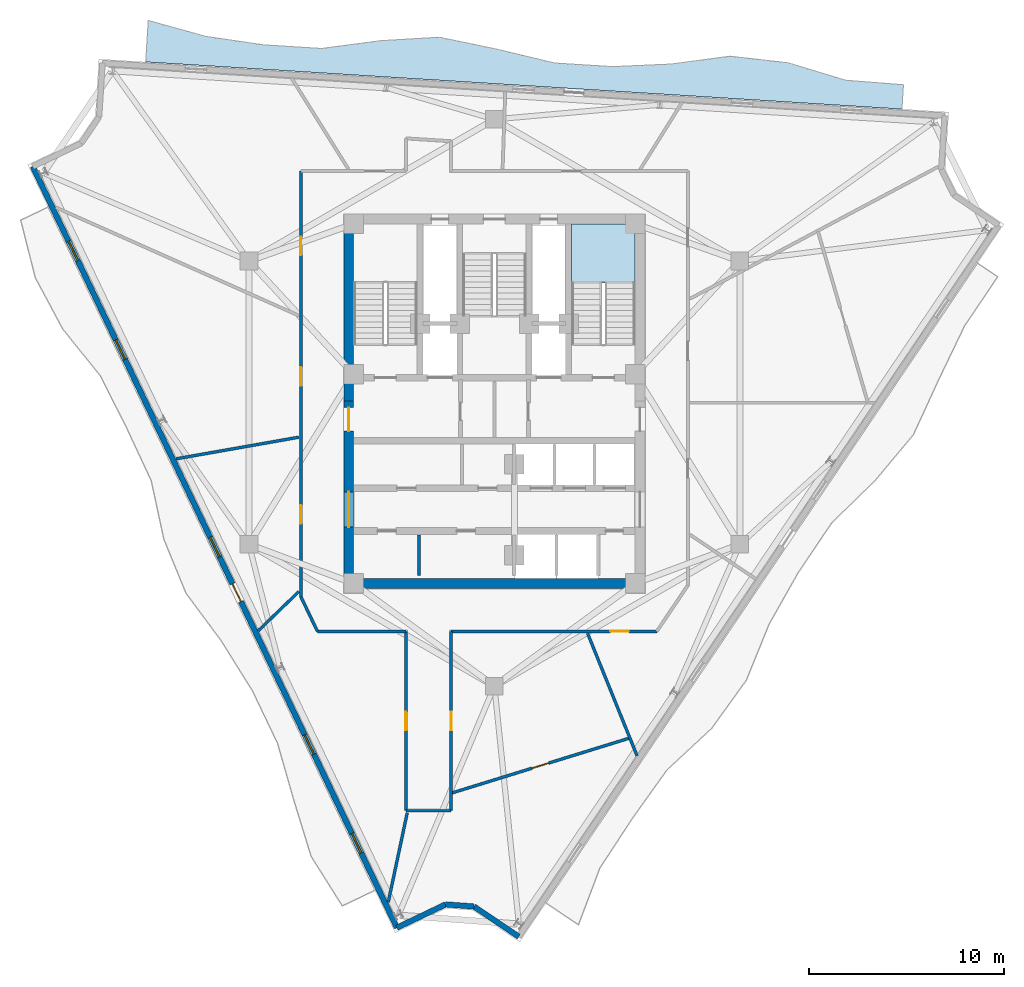
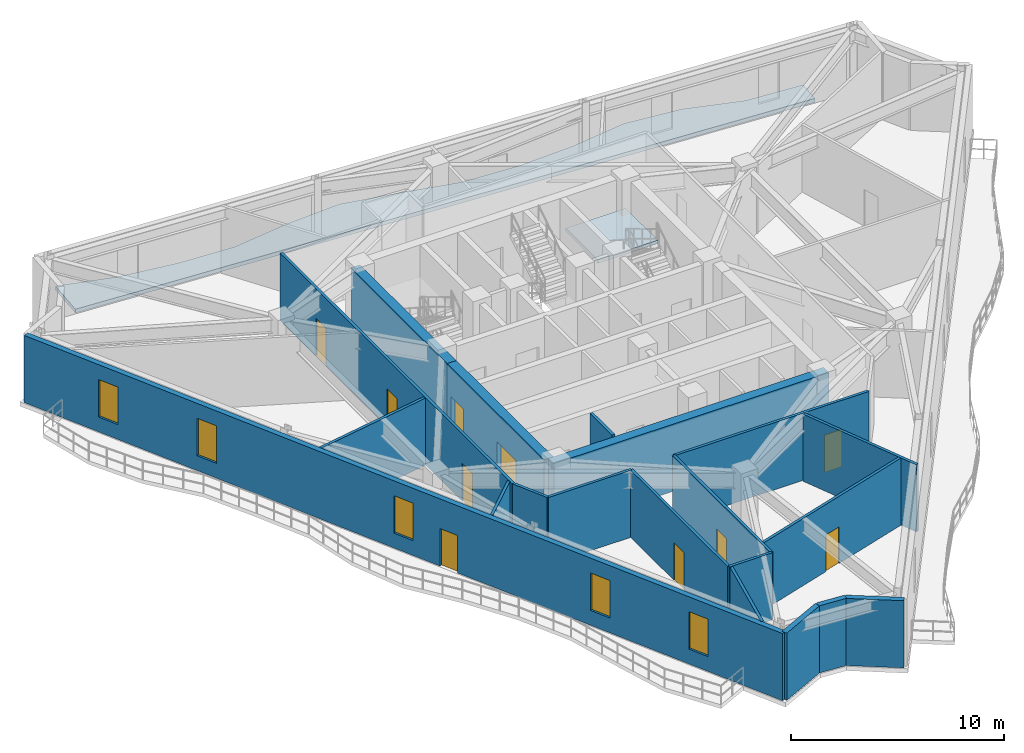
# One storey, part 5 of 11: 20 walls, 10 doors, 5 windows, 2 slabs, 15 openings, 1 element without a shape of its own.
"""IFC4 building model written with IfcOpenShell, lengths in metres."""

from ifc_helpers import new_model, si_unit, direction, frame, frame_2d, origin, place, context, subcontext, project, spatial, polyline, rectangle, outline, extrude, material, layer, layer_set, type_object, element, fill, aggregate, save


model = new_model("IFC4")

# Units and contexts
model_context = context("Model", 3, precision=1e-05, world=origin(), true_north=direction((0.0, 1.0)))
body_context = subcontext(model_context, "Body", "Model", "MODEL_VIEW")
ifc_project = project(units=[si_unit("LENGTHUNIT", "METRE"), si_unit("AREAUNIT", "SQUARE_METRE"), si_unit("VOLUMEUNIT", "CUBIC_METRE"), si_unit("PLANEANGLEUNIT", "RADIAN"), si_unit("MASSUNIT", "GRAM", prefix="KILO")], contexts=[model_context])

# Site, building, storey
site_placement = place(None, origin())
site = spatial("IfcSite", under=ifc_project, at=site_placement, CompositionType="ELEMENT")
building_placement = place(site_placement, origin())
building = spatial("IfcBuilding", under=site, at=building_placement, Name="Apsidion Concourse Tower", CompositionType="ELEMENT")
storey_placement = place(building_placement, frame((0.0, 0.0, 306.5)))
storey = spatial("IfcBuildingStorey", under=building, at=storey_placement, Name="L72", CompositionType="ELEMENT", Elevation=306.5)

# Slab
ifc_material_1 = material(Name="Concrete C50/60", Category="concrete")
ifc_layer_1 = layer(ifc_material_1, 0.219970703125)
ifc_layer_set_1 = layer_set([ifc_layer_1], Name="Concrete C50/60")
slab_type_1 = type_object("IfcSlabType", Name="SL-BAL-220", PredefinedType="FLOOR", material=ifc_layer_set_1)
slab_1_placement = place(storey_placement, frame((0.0, 0.0, -0.219970703125)))
element("IfcSlab", 1, at=slab_1_placement, inside=storey, type_object=slab_type_1, Name="L72 Face 3 Rippling Balcony Slab", PredefinedType="FLOOR", context=body_context, shape_type="SweptSolid", body=[
    extrude(outline(polyline([(20.8564453125, 15.025146484375), (17.879150390625, 15.2109375), (14.90185546875, 15.396484375), (11.924560546875, 15.582275390625), (8.947265625, 15.767822265625), (5.969970703125, 15.95361328125), (2.99267578125, 16.139404296875), (0.015380859375, 16.324951171875), (-2.9619140625, 16.510498046875), (-5.939208984375, 16.6962890625), (-8.91650390625, 16.882080078125), (-11.893798828125, 17.067626953125), (-14.87109375, 17.25341796875), (-17.848388671875, 17.43896484375), (-17.716064453125, 19.561767578125), (-14.77783203125, 18.74853515625), (-11.81591796875, 18.315185546875), (-8.838623046875, 18.129638671875), (-5.824951171875, 18.52685546875), (-2.824951171875, 18.705322265625), (0.12548828125, 18.092041015625), (3.070556640625, 17.38671875), (6.0478515625, 17.201171875), (9.044921875, 17.33203125), (12.05859375, 17.7333984375), (15.026611328125, 17.39599609375), (17.9599609375, 16.505615234375), (20.934326171875, 16.272705078125), (20.8564453125, 15.025146484375)])), origin(), (0.0, 0.0, 1.0), 0.219970703125),
])

# Stair, slab
ifc_material_2 = material(Name="Precast concrete C40/50", Category="concrete")
stair_type = type_object("IfcStairType", Name="ST-DL-1550", PredefinedType="HALF_TURN_STAIR", material=ifc_material_2)
stair_placement = place(storey_placement, origin())
stair = element("IfcStair", 2, at=stair_placement, inside=storey, type_object=stair_type, Name="L72 Protected Core Exit Stair ST2", PredefinedType="HALF_TURN_STAIR")
ifc_layer_2 = layer(ifc_material_1, 0.199951171875)
ifc_layer_set_2 = layer_set([ifc_layer_2], Name="Concrete C50/60")
slab_type_2 = type_object("IfcSlabType", Name="SL-ST-LAND-200", PredefinedType="LANDING", material=ifc_layer_set_2)
slab_2_placement = place(storey_placement, frame((0.0, 0.0, 1.85009765625)))
slab_2 = element("IfcSlab", 3, at=slab_2_placement, type_object=slab_type_2, Name="ST2 landing 1", PredefinedType="LANDING", context=body_context, shape_type="SweptSolid", body=[
    extrude(outline(polyline([(7.199951171875, 6.135009765625), (7.199951171875, 9.14990234375), (3.949951171875, 9.14990234375), (3.949951171875, 6.135009765625), (7.199951171875, 6.135009765625)])), origin(), (0.0, 0.0, 1.0), 0.199951171875),
])
aggregate(stair, [slab_2])

# Walls
ifc_layer_3 = layer(ifc_material_2, 0.280029296875)
ifc_layer_set_3 = layer_set([ifc_layer_3], Name="Precast concrete C40/50")
wall_type_1 = type_object("IfcWallType", Name="WL-EXT-280", PredefinedType="STANDARD", material=ifc_layer_set_3)
wall_1_placement = place(storey_placement, frame((1.2431640625, -27.323974609375, 0.0), z_axis=(0.0, 0.0, 1.0), x_axis=(-0.829015842911, 0.559225117643, 0.0)))
element("IfcWall", 4, at=wall_1_placement, inside=storey, type_object=wall_type_1, Name="L72 Precast Stone Facade Wall 06", PredefinedType="STANDARD", context=body_context, shape_type="SweptSolid", body=[
    extrude(rectangle(XDim=2.759033203125, YDim=0.280029296875, at=frame_2d((1.37939453125, 0.0))), origin(), (0.0, 0.0, 1.0), 3.85009765625),
])
wall_2_placement = place(storey_placement, frame((-1.044189453125, -25.781005859375, 0.0), z_axis=(0.0, 0.0, 1.0), x_axis=(-0.997286893261, 0.073612855735, 0.0)))
element("IfcWall", 5, at=wall_2_placement, inside=storey, type_object=wall_type_1, Name="L72 Precast Stone Facade Wall 07", PredefinedType="STANDARD", context=body_context, shape_type="SweptSolid", body=[
    extrude(rectangle(XDim=1.459228515625, YDim=0.280029296875, at=frame_2d((0.7294921875, 0.0))), origin(), (0.0, 0.0, 1.0), 3.85009765625),
])
wall_3_placement = place(storey_placement, frame((-2.49951171875, -25.673583984375, 0.0), z_axis=(0.0, 0.0, 1.0), x_axis=(-0.902044352952, -0.431643354296, 0.0)))
element("IfcWall", 6, at=wall_3_placement, inside=storey, type_object=wall_type_1, Name="L72 Precast Stone Facade Wall 08", PredefinedType="STANDARD", context=body_context, shape_type="SweptSolid", body=[
    extrude(rectangle(XDim=2.759033203125, YDim=0.280029296875, at=frame_2d((1.37939453125, 0.0))), origin(), (0.0, 0.0, 1.0), 3.85009765625),
])

# Wall, openings, door, windows
wall_4_placement = place(storey_placement, frame((-4.98828125, -26.864501953125, 0.0), z_axis=(0.0, 0.0, 1.0), x_axis=(-0.431592936847, 0.902068476815, 0.0)))
wall_4 = element("IfcWall", 7, at=wall_4_placement, inside=storey, type_object=wall_type_1, Name="L72 Precast Stone Facade Wall 09", PredefinedType="STANDARD", context=body_context, shape_type="SweptSolid", body=[
    extrude(rectangle(XDim=43.18017578125, YDim=0.280029296875, at=frame_2d((21.590087890625, 0.0))), origin(), (0.0, 0.0, 1.0), 3.85009765625),
])
opening_1_placement = place(wall_4_placement, frame((18.499267578125, 0.0, 0.0)))
opening_1 = element("IfcOpeningElement", 8, at=opening_1_placement, cuts=wall_4, Name="Opening D-T1L", PredefinedType="OPENING", context=body_context, shape_type="SweptSolid", body=[
    extrude(rectangle(XDim=1.0, YDim=2.14990234375, at=frame_2d((0.5, 1.074951171875))), frame((0.0, 0.14990234375, 0.0), z_axis=(0.0, -1.0, 0.0), x_axis=(1.0, 0.0, 0.0)), (0.0, 0.0, 1.0), 0.300048828125),
])
opening_2_placement = place(wall_4_placement, frame((4.239990234375, 0.0, 0.85009765625)))
opening_2 = element("IfcOpeningElement", 9, at=opening_2_placement, cuts=wall_4, Name="Opening WN-07", PredefinedType="OPENING", context=body_context, shape_type="SweptSolid", body=[
    extrude(rectangle(XDim=1.10009765625, YDim=2.14990234375, at=frame_2d((0.550048828125, 1.074951171875))), frame((0.0, 0.14990234375, 0.0), z_axis=(0.0, -1.0, 0.0), x_axis=(1.0, 0.0, 0.0)), (0.0, 0.0, 1.0), 0.300048828125),
])
opening_3_placement = place(wall_4_placement, frame((9.840087890625, 0.0, 0.85009765625)))
opening_3 = element("IfcOpeningElement", 10, at=opening_3_placement, cuts=wall_4, Name="Opening WN-07", PredefinedType="OPENING", context=body_context, shape_type="SweptSolid", body=[
    extrude(rectangle(XDim=1.10009765625, YDim=2.14990234375, at=frame_2d((0.550048828125, 1.074951171875))), frame((0.0, 0.14990234375, 0.0), z_axis=(0.0, -1.0, 0.0), x_axis=(1.0, 0.0, 0.0)), (0.0, 0.0, 1.0), 0.300048828125),
])
opening_4_placement = place(wall_4_placement, frame((21.0400390625, 0.0, 0.85009765625)))
opening_4 = element("IfcOpeningElement", 11, at=opening_4_placement, cuts=wall_4, Name="Opening WN-07", PredefinedType="OPENING", context=body_context, shape_type="SweptSolid", body=[
    extrude(rectangle(XDim=1.10009765625, YDim=2.14990234375, at=frame_2d((0.550048828125, 1.074951171875))), frame((0.0, 0.14990234375, 0.0), z_axis=(0.0, -1.0, 0.0), x_axis=(1.0, 0.0, 0.0)), (0.0, 0.0, 1.0), 0.300048828125),
])
opening_5_placement = place(wall_4_placement, frame((32.239990234375, 0.0, 0.85009765625)))
opening_5 = element("IfcOpeningElement", 12, at=opening_5_placement, cuts=wall_4, Name="Opening WN-07", PredefinedType="OPENING", context=body_context, shape_type="SweptSolid", body=[
    extrude(rectangle(XDim=1.10009765625, YDim=2.14990234375, at=frame_2d((0.550048828125, 1.074951171875))), frame((0.0, 0.14990234375, 0.0), z_axis=(0.0, -1.0, 0.0), x_axis=(1.0, 0.0, 0.0)), (0.0, 0.0, 1.0), 0.300048828125),
])
opening_6_placement = place(wall_4_placement, frame((37.840087890625, 0.0, 0.85009765625)))
opening_6 = element("IfcOpeningElement", 13, at=opening_6_placement, cuts=wall_4, Name="Opening WN-07", PredefinedType="OPENING", context=body_context, shape_type="SweptSolid", body=[
    extrude(rectangle(XDim=1.10009765625, YDim=2.14990234375, at=frame_2d((0.550048828125, 1.074951171875))), frame((0.0, 0.14990234375, 0.0), z_axis=(0.0, -1.0, 0.0), x_axis=(1.0, 0.0, 0.0)), (0.0, 0.0, 1.0), 0.300048828125),
])
ifc_material_3 = material(Name="Anodised aluminium EN AW-6063 T6", Category="aluminium")
door_type_1 = type_object("IfcDoorType", Name="DR-TER-1022L", OperationType="SINGLE_SWING_LEFT", PredefinedType="DOOR", material=ifc_material_3)
door_1_placement = place(opening_1_placement, origin())
door_1 = element("IfcDoor", 14, at=door_1_placement, inside=storey, type_object=door_type_1, Name="L72 Balcony Access Door 1", OperationType="SINGLE_SWING_LEFT", OverallHeight=2.14990234375, OverallWidth=1.0, PredefinedType="DOOR", context=body_context, shape_type="SweptSolid", body=[
    extrude(rectangle(XDim=1.0, YDim=2.14990234375, at=frame_2d((0.5, 1.074951171875))), frame((0.0, 0.02490234375, 0.0), z_axis=(0.0, -1.0, 0.0), x_axis=(1.0, 0.0, 0.0)), (0.0, 0.0, 1.0), 0.050048828125),
])
fill(opening_1, door_1)
ifc_material_4 = material(Name="Insulated laminated low-E glass", Category="glass")
window_type = type_object("IfcWindowType", Name="WN-OFF-1123", PartitioningType="SINGLE_PANEL", PredefinedType="WINDOW", material=ifc_material_4)
window_1_placement = place(opening_2_placement, origin())
window_1 = element("IfcWindow", 15, at=window_1_placement, inside=storey, type_object=window_type, Name="L72 Punched Facade Window 9-01", OverallHeight=2.14990234375, OverallWidth=1.10009765625, PartitioningType="SINGLE_PANEL", PredefinedType="WINDOW", context=body_context, shape_type="SweptSolid", body=[
    extrude(rectangle(XDim=1.10009765625, YDim=2.14990234375, at=frame_2d((0.550048828125, 1.074951171875))), frame((0.0, 0.030029296875, 0.0), z_axis=(0.0, -1.0, 0.0), x_axis=(1.0, 0.0, 0.0)), (0.0, 0.0, 1.0), 0.06005859375),
])
fill(opening_2, window_1)
window_2_placement = place(opening_3_placement, origin())
window_2 = element("IfcWindow", 16, at=window_2_placement, inside=storey, type_object=window_type, Name="L72 Punched Facade Window 9-02", OverallHeight=2.14990234375, OverallWidth=1.10009765625, PartitioningType="SINGLE_PANEL", PredefinedType="WINDOW", context=body_context, shape_type="SweptSolid", body=[
    extrude(rectangle(XDim=1.10009765625, YDim=2.14990234375, at=frame_2d((0.550048828125, 1.074951171875))), frame((0.0, 0.030029296875, 0.0), z_axis=(0.0, -1.0, 0.0), x_axis=(1.0, 0.0, 0.0)), (0.0, 0.0, 1.0), 0.06005859375),
])
fill(opening_3, window_2)
window_3_placement = place(opening_4_placement, origin())
window_3 = element("IfcWindow", 17, at=window_3_placement, inside=storey, type_object=window_type, Name="L72 Punched Facade Window 9-04", OverallHeight=2.14990234375, OverallWidth=1.10009765625, PartitioningType="SINGLE_PANEL", PredefinedType="WINDOW", context=body_context, shape_type="SweptSolid", body=[
    extrude(rectangle(XDim=1.10009765625, YDim=2.14990234375, at=frame_2d((0.550048828125, 1.074951171875))), frame((0.0, 0.030029296875, 0.0), z_axis=(0.0, -1.0, 0.0), x_axis=(1.0, 0.0, 0.0)), (0.0, 0.0, 1.0), 0.06005859375),
])
fill(opening_4, window_3)
window_4_placement = place(opening_5_placement, origin())
window_4 = element("IfcWindow", 18, at=window_4_placement, inside=storey, type_object=window_type, Name="L72 Punched Facade Window 9-06", OverallHeight=2.14990234375, OverallWidth=1.10009765625, PartitioningType="SINGLE_PANEL", PredefinedType="WINDOW", context=body_context, shape_type="SweptSolid", body=[
    extrude(rectangle(XDim=1.10009765625, YDim=2.14990234375, at=frame_2d((0.550048828125, 1.074951171875))), frame((0.0, 0.030029296875, 0.0), z_axis=(0.0, -1.0, 0.0), x_axis=(1.0, 0.0, 0.0)), (0.0, 0.0, 1.0), 0.06005859375),
])
fill(opening_5, window_4)
window_5_placement = place(opening_6_placement, origin())
window_5 = element("IfcWindow", 19, at=window_5_placement, inside=storey, type_object=window_type, Name="L72 Punched Facade Window 9-07", OverallHeight=2.14990234375, OverallWidth=1.10009765625, PartitioningType="SINGLE_PANEL", PredefinedType="WINDOW", context=body_context, shape_type="SweptSolid", body=[
    extrude(rectangle(XDim=1.10009765625, YDim=2.14990234375, at=frame_2d((0.550048828125, 1.074951171875))), frame((0.0, 0.030029296875, 0.0), z_axis=(0.0, -1.0, 0.0), x_axis=(1.0, 0.0, 0.0)), (0.0, 0.0, 1.0), 0.06005859375),
])
fill(opening_6, window_5)

# Walls
ifc_material_5 = material(Name="Gypsum plasterboard partition")
ifc_layer_4 = layer(ifc_material_5, 0.14990234375)
ifc_layer_set_4 = layer_set([ifc_layer_4], Name="Gypsum plasterboard partition")
wall_type_2 = type_object("IfcWallType", Name="WL-INT-PAR-150", PredefinedType="PARTITIONING", material=ifc_layer_set_4)
wall_5_placement = place(storey_placement, frame((-3.85009765625, -8.85009765625, 0.0), z_axis=(0.0, 0.0, 1.0), x_axis=(0.0, 1.0, 0.0)))
element("IfcWall", 20, at=wall_5_placement, inside=storey, type_object=wall_type_2, Name="L72 Interior Partition WL-L72-B2RV1", PredefinedType="PARTITIONING", context=body_context, shape_type="SweptSolid", body=[
    extrude(rectangle(XDim=2.080078125, YDim=0.14990234375, at=frame_2d((1.0400390625, 0.0))), origin(), (0.0, 0.0, 1.0), 3.85009765625),
])
wall_6_placement = place(storey_placement, frame((-4.530029296875, -11.699951171875, 0.0), z_axis=(0.0, 0.0, 1.0), x_axis=(-1.0, 0.0, 0.0)))
element("IfcWall", 21, at=wall_6_placement, inside=storey, type_object=wall_type_2, Name="L72 Interior Partition WL-L72-CORR-01", PredefinedType="PARTITIONING", context=body_context, shape_type="SweptSolid", body=[
    extrude(rectangle(XDim=4.5263671875, YDim=0.14990234375, at=frame_2d((2.26318359375, 0.0))), origin(), (0.0, 0.0, 1.0), 3.85009765625),
])
wall_7_placement = place(storey_placement, frame((-9.056396484375, -11.699951171875, 0.0), z_axis=(0.0, 0.0, 1.0), x_axis=(-0.431605782187, 0.902062330875, 0.0)))
element("IfcWall", 22, at=wall_7_placement, inside=storey, type_object=wall_type_2, Name="L72 Interior Partition WL-L72-CORR-02", PredefinedType="PARTITIONING", context=body_context, shape_type="SweptSolid", body=[
    extrude(rectangle(XDim=1.954345703125, YDim=0.14990234375, at=frame_2d((0.97705078125, 0.0))), origin(), (0.0, 0.0, 1.0), 3.85009765625),
])

# Wall, openings, doors
wall_8_placement = place(storey_placement, frame((-9.89990234375, -9.93701171875, 0.0), z_axis=(0.0, 0.0, 1.0), x_axis=(0.0, 1.0, 0.0)))
wall_8 = element("IfcWall", 23, at=wall_8_placement, inside=storey, type_object=wall_type_2, Name="L72 Interior Partition WL-L72-CORR-03", PredefinedType="PARTITIONING", context=body_context, shape_type="SweptSolid", body=[
    extrude(rectangle(XDim=21.787109375, YDim=0.14990234375, at=frame_2d((10.8935546875, 0.0))), origin(), (0.0, 0.0, 1.0), 3.85009765625),
])
opening_7_placement = place(wall_8_placement, frame((3.7451171875, 0.0, 0.0)))
opening_7 = element("IfcOpeningElement", 24, at=opening_7_placement, cuts=wall_8, Name="Opening D-01L", PredefinedType="OPENING", context=body_context, shape_type="SweptSolid", body=[
    extrude(rectangle(XDim=0.949951171875, YDim=2.14990234375, at=frame_2d((0.47509765625, 1.074951171875))), frame((0.0, 0.0849609375, 0.0), z_axis=(0.0, -1.0, 0.0), x_axis=(1.0, 0.0, 0.0)), (0.0, 0.0, 1.0), 0.169921875),
])
opening_8_placement = place(wall_8_placement, frame((17.484130859375, 0.0, 0.0)))
opening_8 = element("IfcOpeningElement", 25, at=opening_8_placement, cuts=wall_8, Name="Opening D-01R", PredefinedType="OPENING", context=body_context, shape_type="SweptSolid", body=[
    extrude(rectangle(XDim=0.949951171875, YDim=2.14990234375, at=frame_2d((0.47509765625, 1.074951171875))), frame((0.0, 0.0849609375, 0.0), z_axis=(0.0, -1.0, 0.0), x_axis=(1.0, 0.0, 0.0)), (0.0, 0.0, 1.0), 0.169921875),
])
opening_9_placement = place(wall_8_placement, frame((10.80419921875, 0.0, 0.0)))
opening_9 = element("IfcOpeningElement", 26, at=opening_9_placement, cuts=wall_8, Name="Opening D-01L", PredefinedType="OPENING", context=body_context, shape_type="SweptSolid", body=[
    extrude(rectangle(XDim=0.949951171875, YDim=2.14990234375, at=frame_2d((0.47509765625, 1.074951171875))), frame((0.0, 0.0849609375, 0.0), z_axis=(0.0, -1.0, 0.0), x_axis=(1.0, 0.0, 0.0)), (0.0, 0.0, 1.0), 0.169921875),
])
ifc_material_6 = material(Name="Brushed stainless steel 316", Category="steel")
door_type_2 = type_object("IfcDoorType", Name="DR-INT-D01L", OperationType="SINGLE_SWING_LEFT", PredefinedType="DOOR", material=ifc_material_6)
door_2_placement = place(opening_7_placement, origin())
door_2 = element("IfcDoor", 27, at=door_2_placement, inside=storey, type_object=door_type_2, Name="L72 Corridor Entry Door 01", OperationType="SINGLE_SWING_LEFT", OverallHeight=2.14990234375, OverallWidth=0.949951171875, PredefinedType="DOOR", context=body_context, shape_type="SweptSolid", body=[
    extrude(rectangle(XDim=0.949951171875, YDim=2.14990234375, at=frame_2d((0.47509765625, 1.074951171875))), frame((0.0, 0.02490234375, 0.0), z_axis=(0.0, -1.0, 0.0), x_axis=(1.0, 0.0, 0.0)), (0.0, 0.0, 1.0), 0.050048828125),
])
fill(opening_7, door_2)
door_3_placement = place(opening_9_placement, origin())
door_3 = element("IfcDoor", 28, at=door_3_placement, inside=storey, type_object=door_type_2, Name="L72 Corridor Entry Door 11", OperationType="SINGLE_SWING_LEFT", OverallHeight=2.14990234375, OverallWidth=0.949951171875, PredefinedType="DOOR", context=body_context, shape_type="SweptSolid", body=[
    extrude(rectangle(XDim=0.949951171875, YDim=2.14990234375, at=frame_2d((0.47509765625, 1.074951171875))), frame((0.0, 0.02490234375, 0.0), z_axis=(0.0, -1.0, 0.0), x_axis=(1.0, 0.0, 0.0)), (0.0, 0.0, 1.0), 0.050048828125),
])
fill(opening_9, door_3)
door_type_3 = type_object("IfcDoorType", Name="DR-INT-D01R", OperationType="SINGLE_SWING_RIGHT", PredefinedType="DOOR", material=ifc_material_6)
door_4_placement = place(opening_8_placement, origin())
door_4 = element("IfcDoor", 29, at=door_4_placement, inside=storey, type_object=door_type_3, Name="L72 Corridor Entry Door 10", OperationType="SINGLE_SWING_RIGHT", OverallHeight=2.14990234375, OverallWidth=0.949951171875, PredefinedType="DOOR", context=body_context, shape_type="SweptSolid", body=[
    extrude(rectangle(XDim=0.949951171875, YDim=2.14990234375, at=frame_2d((0.47509765625, 1.074951171875))), frame((0.0, 0.02490234375, 0.0), z_axis=(0.0, -1.0, 0.0), x_axis=(1.0, 0.0, 0.0)), (0.0, 0.0, 1.0), 0.050048828125),
])
fill(opening_8, door_4)

# Wall, opening, door
wall_9_placement = place(storey_placement, frame((8.313720703125, -11.699951171875, 0.0), z_axis=(0.0, 0.0, 1.0), x_axis=(-1.0, 0.0, 0.0)))
wall_9 = element("IfcWall", 30, at=wall_9_placement, inside=storey, type_object=wall_type_2, Name="L72 Interior Partition WL-L72-CORR-11", PredefinedType="PARTITIONING", context=body_context, shape_type="SweptSolid", body=[
    extrude(rectangle(XDim=10.53369140625, YDim=0.14990234375, at=frame_2d((5.266845703125, 0.0))), origin(), (0.0, 0.0, 1.0), 3.85009765625),
])
opening_10_placement = place(wall_9_placement, frame((1.426513671875, 0.0, 0.0)))
opening_10 = element("IfcOpeningElement", 31, at=opening_10_placement, cuts=wall_9, Name="Opening D-01R", PredefinedType="OPENING", context=body_context, shape_type="SweptSolid", body=[
    extrude(rectangle(XDim=0.949951171875, YDim=2.14990234375, at=frame_2d((0.47509765625, 1.074951171875))), frame((0.0, 0.0849609375, 0.0), z_axis=(0.0, -1.0, 0.0), x_axis=(1.0, 0.0, 0.0)), (0.0, 0.0, 1.0), 0.169921875),
])
door_5_placement = place(opening_10_placement, origin())
door_5 = element("IfcDoor", 32, at=door_5_placement, inside=storey, type_object=door_type_3, Name="L72 Corridor Entry Door 04", OperationType="SINGLE_SWING_RIGHT", OverallHeight=2.14990234375, OverallWidth=0.949951171875, PredefinedType="DOOR", context=body_context, shape_type="SweptSolid", body=[
    extrude(rectangle(XDim=0.949951171875, YDim=2.14990234375, at=frame_2d((0.47509765625, 1.074951171875))), frame((0.0, 0.02490234375, 0.0), z_axis=(0.0, -1.0, 0.0), x_axis=(1.0, 0.0, 0.0)), (0.0, 0.0, 1.0), 0.050048828125),
])
fill(opening_10, door_5)

wall_10_placement = place(storey_placement, frame((-2.219970703125, -11.699951171875, 0.0), z_axis=(0.0, 0.0, 1.0), x_axis=(0.0, -1.0, 0.0)))
wall_10 = element("IfcWall", 33, at=wall_10_placement, inside=storey, type_object=wall_type_2, Name="L72 Interior Partition WL-L72-CORR-12", PredefinedType="PARTITIONING", context=body_context, shape_type="SweptSolid", body=[
    extrude(rectangle(XDim=9.179931640625, YDim=0.14990234375, at=frame_2d((4.58984375, 0.0))), origin(), (0.0, 0.0, 1.0), 3.85009765625),
])
opening_11_placement = place(wall_10_placement, frame((4.114990234375, 0.0, 0.0)))
opening_11 = element("IfcOpeningElement", 34, at=opening_11_placement, cuts=wall_10, Name="Opening D-01L", PredefinedType="OPENING", context=body_context, shape_type="SweptSolid", body=[
    extrude(rectangle(XDim=0.949951171875, YDim=2.14990234375, at=frame_2d((0.47509765625, 1.074951171875))), frame((0.0, 0.0849609375, 0.0), z_axis=(0.0, -1.0, 0.0), x_axis=(1.0, 0.0, 0.0)), (0.0, 0.0, 1.0), 0.169921875),
])
door_6_placement = place(opening_11_placement, origin())
door_6 = element("IfcDoor", 35, at=door_6_placement, inside=storey, type_object=door_type_2, Name="L72 Corridor Entry Door 03", OperationType="SINGLE_SWING_LEFT", OverallHeight=2.14990234375, OverallWidth=0.949951171875, PredefinedType="DOOR", context=body_context, shape_type="SweptSolid", body=[
    extrude(rectangle(XDim=0.949951171875, YDim=2.14990234375, at=frame_2d((0.47509765625, 1.074951171875))), frame((0.0, 0.02490234375, 0.0), z_axis=(0.0, -1.0, 0.0), x_axis=(1.0, 0.0, 0.0)), (0.0, 0.0, 1.0), 0.050048828125),
])
fill(opening_11, door_6)

# Wall
wall_11_placement = place(storey_placement, frame((-2.219970703125, -20.8798828125, 0.0), z_axis=(0.0, 0.0, 1.0), x_axis=(-1.0, 0.0, 0.0)))
element("IfcWall", 36, at=wall_11_placement, inside=storey, type_object=wall_type_2, Name="L72 Interior Partition WL-L72-CORR-13", PredefinedType="PARTITIONING", context=body_context, shape_type="SweptSolid", body=[
    extrude(rectangle(XDim=2.31005859375, YDim=0.14990234375, at=frame_2d((1.155029296875, 0.0))), origin(), (0.0, 0.0, 1.0), 3.85009765625),
])

# Wall, opening, door
wall_12_placement = place(storey_placement, frame((-4.530029296875, -20.8798828125, 0.0), z_axis=(0.0, 0.0, 1.0), x_axis=(0.0, 1.0, 0.0)))
wall_12 = element("IfcWall", 37, at=wall_12_placement, inside=storey, type_object=wall_type_2, Name="L72 Interior Partition WL-L72-CORR-14", PredefinedType="PARTITIONING", context=body_context, shape_type="SweptSolid", body=[
    extrude(rectangle(XDim=9.179931640625, YDim=0.14990234375, at=frame_2d((4.58984375, 0.0))), origin(), (0.0, 0.0, 1.0), 3.85009765625),
])
opening_12_placement = place(wall_12_placement, frame((4.114990234375, 0.0, 0.0)))
opening_12 = element("IfcOpeningElement", 38, at=opening_12_placement, cuts=wall_12, Name="Opening D-01R", PredefinedType="OPENING", context=body_context, shape_type="SweptSolid", body=[
    extrude(rectangle(XDim=0.949951171875, YDim=2.14990234375, at=frame_2d((0.47509765625, 1.074951171875))), frame((0.0, 0.0849609375, 0.0), z_axis=(0.0, -1.0, 0.0), x_axis=(1.0, 0.0, 0.0)), (0.0, 0.0, 1.0), 0.169921875),
])
door_7_placement = place(opening_12_placement, origin())
door_7 = element("IfcDoor", 39, at=door_7_placement, inside=storey, type_object=door_type_3, Name="L72 Corridor Entry Door 02", OperationType="SINGLE_SWING_RIGHT", OverallHeight=2.14990234375, OverallWidth=0.949951171875, PredefinedType="DOOR", context=body_context, shape_type="SweptSolid", body=[
    extrude(rectangle(XDim=0.949951171875, YDim=2.14990234375, at=frame_2d((0.47509765625, 1.074951171875))), frame((0.0, 0.02490234375, 0.0), z_axis=(0.0, -1.0, 0.0), x_axis=(1.0, 0.0, 0.0)), (0.0, 0.0, 1.0), 0.050048828125),
])
fill(opening_12, door_7)

# Walls
wall_13_placement = place(storey_placement, frame((-10.0048828125, -1.76416015625, 0.0), z_axis=(0.0, 0.0, 1.0), x_axis=(-0.984807023055, -0.17365231741, 0.0)))
element("IfcWall", 40, at=wall_13_placement, inside=storey, type_object=wall_type_2, Name="L72 Interior Partition WL-L72-RAD-07-1", PredefinedType="PARTITIONING", context=body_context, shape_type="SweptSolid", body=[
    extrude(rectangle(XDim=6.386962890625, YDim=0.14990234375, at=frame_2d((3.193359375, 0.0))), origin(), (0.0, 0.0, 1.0), 3.85009765625),
])
wall_14_placement = place(storey_placement, frame((-10.0048828125, -9.66162109375, 0.0), z_axis=(0.0, 0.0, 1.0), x_axis=(-0.719363647172, -0.694633675492, 0.0)))
element("IfcWall", 41, at=wall_14_placement, inside=storey, type_object=wall_type_2, Name="L72 Interior Partition WL-L72-RAD-08-1", PredefinedType="PARTITIONING", context=body_context, shape_type="SweptSolid", body=[
    extrude(rectangle(XDim=2.892578125, YDim=0.14990234375, at=frame_2d((1.4462890625, 0.0))), origin(), (0.0, 0.0, 1.0), 3.85009765625),
])
wall_15_placement = place(storey_placement, frame((-4.46044921875, -20.985107421875, 0.0), z_axis=(0.0, 0.0, 1.0), x_axis=(-0.20793909947, -0.978141774443, 0.0)))
element("IfcWall", 42, at=wall_15_placement, inside=storey, type_object=wall_type_2, Name="L72 Interior Partition WL-L72-RAD-09-1", PredefinedType="PARTITIONING", context=body_context, shape_type="SweptSolid", body=[
    extrude(rectangle(XDim=4.688232421875, YDim=0.14990234375, at=frame_2d((2.34423828125, 0.0))), origin(), (0.0, 0.0, 1.0), 3.85009765625),
])
wall_16_placement = place(storey_placement, frame((4.76953125, -11.804931640625, 0.0), z_axis=(0.0, 0.0, 1.0), x_axis=(0.374616638897, -0.927179795866, 0.0)))
element("IfcWall", 43, at=wall_16_placement, inside=storey, type_object=wall_type_2, Name="L72 Interior Partition WL-L72-RAD-10-1", PredefinedType="PARTITIONING", context=body_context, shape_type="SweptSolid", body=[
    extrude(rectangle(XDim=6.75439453125, YDim=0.14990234375, at=frame_2d((3.377197265625, 0.0))), origin(), (0.0, 0.0, 1.0), 3.85009765625),
])

# Wall, opening, door
wall_17_placement = place(storey_placement, frame((-2.199951171875, -19.97900390625, 0.0), z_axis=(0.0, 0.0, 1.0), x_axis=(0.95544782283, 0.295160054631, 0.0)))
wall_17 = element("IfcWall", 44, at=wall_17_placement, inside=storey, type_object=wall_type_2, Name="L72 Interior Partition WL-L72-CHD-OFS02", PredefinedType="PARTITIONING", context=body_context, shape_type="SweptSolid", body=[
    extrude(rectangle(XDim=9.532958984375, YDim=0.14990234375, at=frame_2d((4.7666015625, 0.0))), origin(), (0.0, 0.0, 1.0), 3.85009765625),
])
opening_13_placement = place(wall_17_placement, frame((4.31640625, 0.0, 0.0)))
opening_13 = element("IfcOpeningElement", 45, at=opening_13_placement, cuts=wall_17, Name="Opening D-02L", PredefinedType="OPENING", context=body_context, shape_type="SweptSolid", body=[
    extrude(rectangle(XDim=0.89990234375, YDim=2.10009765625, at=frame_2d((0.449951171875, 1.050048828125))), frame((0.0, 0.0849609375, 0.0), z_axis=(0.0, -1.0, 0.0), x_axis=(1.0, 0.0, 0.0)), (0.0, 0.0, 1.0), 0.169921875),
])
door_type_4 = type_object("IfcDoorType", Name="DR-INT-D02L", OperationType="SINGLE_SWING_LEFT", PredefinedType="DOOR", material=ifc_material_3)
door_8_placement = place(opening_13_placement, origin())
door_8 = element("IfcDoor", 46, at=door_8_placement, inside=storey, type_object=door_type_4, Name="L72 Suite Connecting Door OFS02", OperationType="SINGLE_SWING_LEFT", OverallHeight=2.10009765625, OverallWidth=0.89990234375, PredefinedType="DOOR", context=body_context, shape_type="SweptSolid", body=[
    extrude(rectangle(XDim=0.89990234375, YDim=2.10009765625, at=frame_2d((0.449951171875, 1.050048828125))), frame((0.0, 0.02490234375, 0.0), z_axis=(0.0, -1.0, 0.0), x_axis=(1.0, 0.0, 0.0)), (0.0, 0.0, 1.0), 0.050048828125),
])
fill(opening_13, door_8)

# Wall
ifc_layer_5 = layer(ifc_material_1, 0.5)
ifc_layer_set_5 = layer_set([ifc_layer_5], Name="Concrete C50/60")
wall_type_3 = type_object("IfcWallType", Name="WL-SH-500", PredefinedType="SHEAR", material=ifc_layer_set_5)
wall_18_placement = place(storey_placement, frame((-7.449951171875, 0.10009765625, 0.0), z_axis=(0.0, 0.0, 1.0), x_axis=(0.0, 1.0, 0.0)))
element("IfcWall", 47, at=wall_18_placement, inside=storey, type_object=wall_type_3, Name="L72 Central Core Shear Wall WN", PredefinedType="SHEAR", context=body_context, shape_type="SweptSolid", body=[
    extrude(rectangle(XDim=9.0498046875, YDim=0.5, at=frame_2d((4.52490234375, 0.0))), origin(), (0.0, 0.0, 1.0), 3.85009765625),
])

# Wall, openings, doors
wall_19_placement = place(storey_placement, frame((-7.449951171875, -9.0, 0.0), z_axis=(0.0, 0.0, 1.0), x_axis=(0.0, 1.0, 0.0)))
wall_19 = element("IfcWall", 48, at=wall_19_placement, inside=storey, type_object=wall_type_3, Name="L72 Central Core Shear Wall WS", PredefinedType="SHEAR", context=body_context, shape_type="SweptSolid", body=[
    extrude(rectangle(XDim=9.10009765625, YDim=0.5, at=frame_2d((4.550048828125, 0.0))), origin(), (0.0, 0.0, 1.0), 3.85009765625),
])
opening_14_placement = place(wall_19_placement, frame((2.639892578125, 0.0, 0.0)))
opening_14 = element("IfcOpeningElement", 49, at=opening_14_placement, cuts=wall_19, Name="Opening D-06D", PredefinedType="OPENING", context=body_context, shape_type="SweptSolid", body=[
    extrude(rectangle(XDim=1.800048828125, YDim=2.199951171875, at=frame_2d((0.89990234375, 1.10009765625))), frame((0.0, 0.260009765625, 0.0), z_axis=(0.0, -1.0, 0.0), x_axis=(1.0, 0.0, 0.0)), (0.0, 0.0, 1.0), 0.52001953125),
])
opening_15_placement = place(wall_19_placement, frame((7.550048828125, 0.0, 0.0)))
opening_15 = element("IfcOpeningElement", 50, at=opening_15_placement, cuts=wall_19, Name="Opening D-FFL", PredefinedType="OPENING", context=body_context, shape_type="SweptSolid", body=[
    extrude(rectangle(XDim=1.199951171875, YDim=2.14990234375, at=frame_2d((0.60009765625, 1.074951171875))), frame((0.0, 0.260009765625, 0.0), z_axis=(0.0, -1.0, 0.0), x_axis=(1.0, 0.0, 0.0)), (0.0, 0.0, 1.0), 0.52001953125),
])
door_type_5 = type_object("IfcDoorType", Name="DR-INT-D06D", OperationType="DOUBLE_DOOR_SINGLE_SWING", PredefinedType="DOOR", material=ifc_material_6)
door_9_placement = place(opening_14_placement, origin())
door_9 = element("IfcDoor", 51, at=door_9_placement, inside=storey, type_object=door_type_5, Name="L72 Passenger Lift Lobby WS Portal Door", OperationType="DOUBLE_DOOR_SINGLE_SWING", OverallHeight=2.199951171875, OverallWidth=1.800048828125, PredefinedType="DOOR", context=body_context, shape_type="SweptSolid", body=[
    extrude(rectangle(XDim=1.800048828125, YDim=2.199951171875, at=frame_2d((0.89990234375, 1.10009765625))), frame((0.0, 0.02490234375, 0.0), z_axis=(0.0, -1.0, 0.0), x_axis=(1.0, 0.0, 0.0)), (0.0, 0.0, 1.0), 0.050048828125),
])
fill(opening_14, door_9)
door_type_6 = type_object("IfcDoorType", Name="DR-INT-FFL", OperationType="SINGLE_SWING_LEFT", PredefinedType="DOOR", material=ifc_material_6)
door_10_placement = place(opening_15_placement, origin())
door_10 = element("IfcDoor", 52, at=door_10_placement, inside=storey, type_object=door_type_6, Name="L72 Firefighting Lift Lobby FF1 Door", OperationType="SINGLE_SWING_LEFT", OverallHeight=2.14990234375, OverallWidth=1.199951171875, PredefinedType="DOOR", context=body_context, shape_type="SweptSolid", body=[
    extrude(rectangle(XDim=1.199951171875, YDim=2.14990234375, at=frame_2d((0.60009765625, 1.074951171875))), frame((0.0, 0.02490234375, 0.0), z_axis=(0.0, -1.0, 0.0), x_axis=(1.0, 0.0, 0.0)), (0.0, 0.0, 1.0), 0.050048828125),
])
fill(opening_15, door_10)

# Wall
wall_20_placement = place(storey_placement, frame((-7.449951171875, -9.25, 0.0), z_axis=(0.0, 0.0, 1.0), x_axis=(1.0, 0.0, 0.0)))
element("IfcWall", 53, at=wall_20_placement, inside=storey, type_object=wall_type_3, Name="L72 Central Core Shear Wall S", PredefinedType="SHEAR", context=body_context, shape_type="SweptSolid", body=[
    extrude(rectangle(XDim=14.89990234375, YDim=0.5, at=frame_2d((7.449951171875, 0.0))), origin(), (0.0, 0.0, 1.0), 3.85009765625),
])

save(model, "model.ifc")
